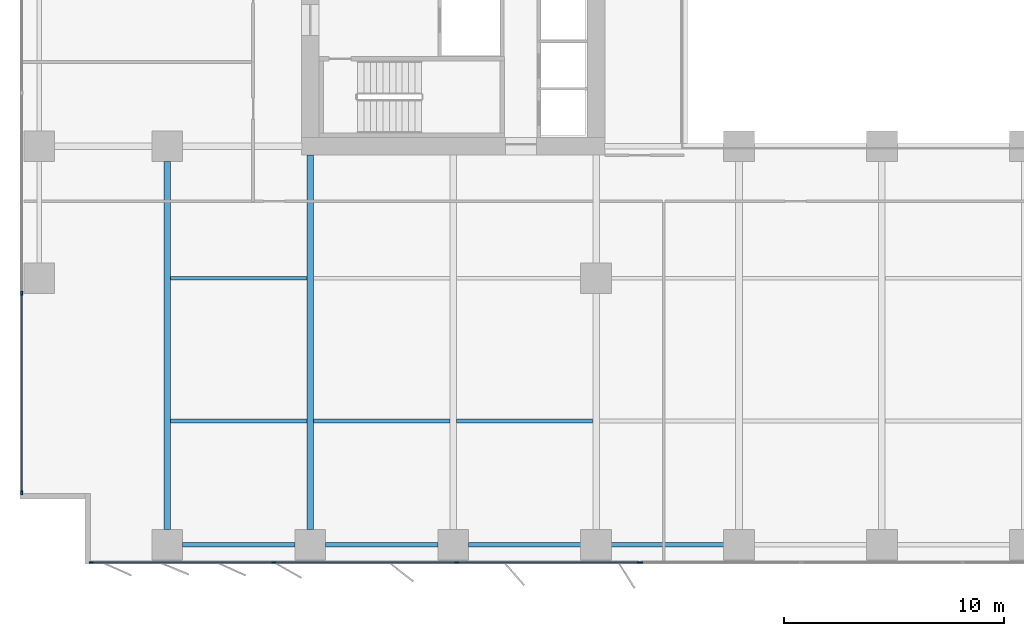
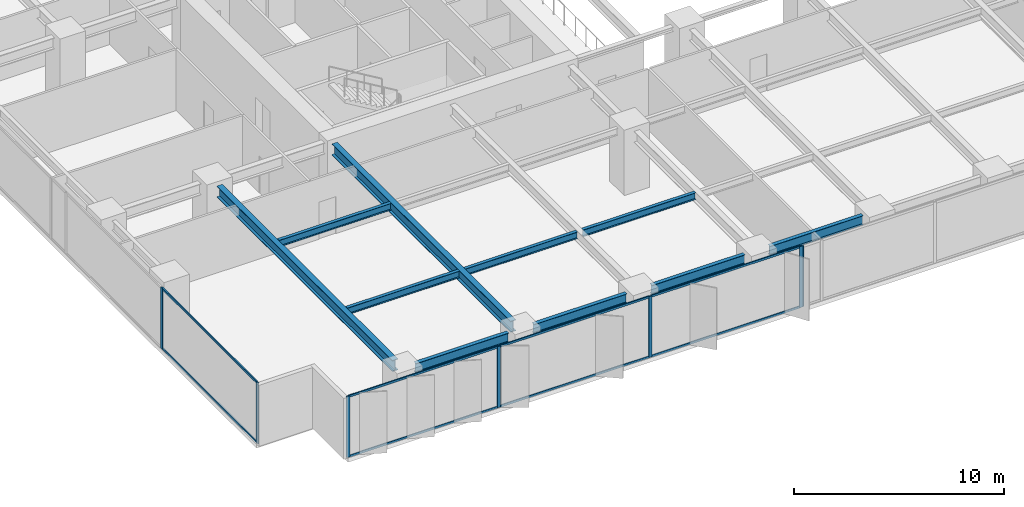
# One storey, part 2 of 20: 15 members, 10 beams, 3 elements without a shape of their own.
"""IFC4 building model written with IfcOpenShell, lengths in metres."""

import ifcopenshell
import ifcopenshell.guid

model = None  # the IFC model being written
_history = None  # IfcOwnerHistory: only IFC2X3 demands one
_inside = {}  # id of a spatial element -> (the spatial element, [elements in it])
_under = {}  # id of a project, library or spatial element -> (it, [spatial elements below it])
_declared = {}  # id of a project -> (the project, [libraries it declares])
_typed = {}  # id of a type object -> (the type object, [elements of that type])
_made_of = {}  # id of a material, layer set ... -> (it, [elements and type objects made of it])


def new_model(schema):
    """Start an empty IFC model of exactly this schema.

    Asked for "IFC4X3", IfcOpenShell would pick the latest addendum, in which some entities
    have other attributes; the version numbers below select the first issue.
    IFC2X3 requires an IfcOwnerHistory on every rooted entity: one is made here for all.
    """
    global model, _history
    if schema == "IFC4X3":
        model = ifcopenshell.file(schema_version=(4, 3, 0, 0))
    else:
        model = ifcopenshell.file(schema=schema)
    _inside.clear()
    _under.clear()
    _declared.clear()
    _typed.clear()
    _made_of.clear()
    _history = None
    if model.schema == "IFC2X3":
        org = make("IfcOrganization", Name="unknown")
        user = make(
            "IfcPersonAndOrganization",
            ThePerson=make("IfcPerson", FamilyName="unknown"),
            TheOrganization=org,
        )
        app = make(
            "IfcApplication",
            ApplicationDeveloper=org,
            Version="unknown",
            ApplicationFullName="unknown",
            ApplicationIdentifier="unknown",
        )
        _history = make(
            "IfcOwnerHistory",
            OwningUser=user,
            OwningApplication=app,
            ChangeAction="ADDED",
            CreationDate=0,
        )
    return model


def make(cls, **values):
    """One entity of the class cls with the attributes given. An attribute that is None is left unset."""
    return model.create_entity(
        cls, **{name: value for name, value in values.items() if value is not None}
    )


def rooted(cls, **values):
    """An entity with a GlobalId (a new one), such as an element, a storey or a relation."""
    return make(cls, GlobalId=ifcopenshell.guid.new(), OwnerHistory=_history, **values)


def si_unit(unit_type, name, prefix=None):
    """IfcSIUnit, for example si_unit("LENGTHUNIT", "METRE", prefix="MILLI")."""
    return make("IfcSIUnit", UnitType=unit_type, Prefix=prefix, Name=name)


def assignment(units):
    """IfcUnitAssignment: the units of a project."""
    return None if units is None else make("IfcUnitAssignment", Units=units)


def point(xyz):
    """IfcCartesianPoint."""
    return None if xyz is None else make("IfcCartesianPoint", Coordinates=xyz)


def direction(xyz):
    """IfcDirection."""
    return None if xyz is None else make("IfcDirection", DirectionRatios=xyz)


def frame(location, z_axis=None, x_axis=None):
    """IfcAxis2Placement3D, a coordinate frame: its origin and axes. An axis left out is left unset."""
    return make(
        "IfcAxis2Placement3D",
        Location=point(location),
        Axis=direction(z_axis),
        RefDirection=direction(x_axis),
    )


def frame_2d(location, x_axis=None):
    """IfcAxis2Placement2D, a coordinate frame in the plane: its origin and x axis."""
    return make(
        "IfcAxis2Placement2D", Location=point(location), RefDirection=direction(x_axis)
    )


def origin():
    """The frame at (0, 0, 0) with its axes left unset."""
    return frame((0.0, 0.0, 0.0))


def origin_2d():
    """The frame at (0, 0) in the plane with its x axis left unset."""
    return frame_2d((0.0, 0.0))


def place(relative_to, where):
    """IfcLocalPlacement: puts the frame where relative to a parent placement (None: the world)."""
    return make(
        "IfcLocalPlacement", PlacementRelTo=relative_to, RelativePlacement=where
    )


def context(
    kind, dimensions, precision=None, world=None, true_north=None, identifier=None
):
    """IfcGeometricRepresentationContext, for example the 3D "Model" context."""
    return make(
        "IfcGeometricRepresentationContext",
        ContextIdentifier=identifier,
        ContextType=kind,
        CoordinateSpaceDimension=dimensions,
        Precision=precision,
        WorldCoordinateSystem=world,
        TrueNorth=true_north,
    )


def subcontext(parent, identifier, kind, view, scale=None):
    """IfcGeometricRepresentationSubContext, for example "Body" below "Model"."""
    return make(
        "IfcGeometricRepresentationSubContext",
        ContextIdentifier=identifier,
        ContextType=kind,
        ParentContext=parent,
        TargetScale=scale,
        TargetView=view,
    )


def project(units=None, contexts=None):
    """IfcProject with its units and contexts."""
    return rooted(
        "IfcProject",
        Name="project",
        RepresentationContexts=contexts,
        UnitsInContext=assignment(units),
    )


def spatial(cls, under=None, at=None, **own):
    """A site, building, storey or space (cls), placed at a placement, below another one or the project."""
    s = rooted(cls, ObjectPlacement=at, **own)
    if under is not None:
        _under.setdefault(under.id(), (under, []))[1].append(s)
    return s


def profile(cls, at=None, kind="AREA", **sizes):
    """A parametric profile (cls). Its sizes go by their IFC names, for example OverallWidth=200.0."""
    return make(cls, ProfileType=kind, Position=at, **sizes)


def rectangle(**sizes):
    """IfcRectangleProfileDef."""
    return profile("IfcRectangleProfileDef", **sizes)


def i_section(**sizes):
    """IfcIShapeProfileDef."""
    return profile("IfcIShapeProfileDef", **sizes)


def extrude(swept, where, along, depth):
    """IfcExtrudedAreaSolid: the profile swept, set in the frame where, extruded along a direction by depth."""
    return make(
        "IfcExtrudedAreaSolid",
        SweptArea=swept,
        Position=where,
        ExtrudedDirection=direction(along),
        Depth=depth,
    )


def shape(context_of_items, identifier, shape_type, items):
    """IfcShapeRepresentation: the items that make up one representation, for example the "Body"."""
    return make(
        "IfcShapeRepresentation",
        ContextOfItems=context_of_items,
        RepresentationIdentifier=identifier,
        RepresentationType=shape_type,
        Items=items,
    )


def material(Name=None, Category=None):
    """IfcMaterial."""
    return make("IfcMaterial", Name=Name, Category=Category)


def layer(
    of_material, thickness, ventilated=None, Name=None, Category=None, Priority=None
):
    """IfcMaterialLayer: one layer of a wall or slab, of a material (None: an air gap)."""
    return make(
        "IfcMaterialLayer",
        Material=of_material,
        LayerThickness=thickness,
        IsVentilated=ventilated,
        Name=Name,
        Category=Category,
        Priority=Priority,
    )


def layer_set(layers, Name=None):
    """IfcMaterialLayerSet."""
    return make("IfcMaterialLayerSet", MaterialLayers=layers, LayerSetName=Name)


def material_profile(
    of_material, cross_section, Name=None, Category=None, Priority=None
):
    """IfcMaterialProfile: a cross section and its material."""
    return make(
        "IfcMaterialProfile",
        Name=Name,
        Material=of_material,
        Profile=cross_section,
        Priority=Priority,
        Category=Category,
    )


def profile_set(profiles, Name=None, composite=None):
    """IfcMaterialProfileSet."""
    return make(
        "IfcMaterialProfileSet",
        Name=Name,
        MaterialProfiles=profiles,
        CompositeProfile=composite,
    )


def made_of(thing, what):
    """Note that an element or type object is made of a material, layer set ...; save() writes the relation."""
    if what is not None:
        _made_of.setdefault(what.id(), (what, []))[1].append(thing)
    return thing


def type_object(cls, material=None, **own):
    """A type object (cls), such as IfcWallType, which elements share."""
    return made_of(rooted(cls, **own), material)


def element(
    cls,
    number,
    at=None,
    inside=None,
    cuts=None,
    type_object=None,
    material=None,
    context=None,
    identifier="Body",
    shape_type=None,
    held_by="IfcProductDefinitionShape",
    body=None,
    shapes=None,
    **own,
):
    """One element of the class cls, such as IfcWall. Its Tag is "e" and its number.

    at: its placement. inside: the storey or other place that contains it. cuts: it is an
    opening in that element (IfcRelVoidsElement). A single representation is given by context,
    identifier, shape_type and body (its items); several are given by shapes. held_by: the class
    of the entity that holds the representations. save() writes the other relations.
    """
    e = rooted(cls, Tag="e%d" % number, ObjectPlacement=at, **own)
    if body is not None:
        shapes = [shape(context, identifier, shape_type, body)]
    if shapes is not None:
        e.Representation = make(held_by, Representations=shapes)
    if inside is not None:
        _inside.setdefault(inside.id(), (inside, []))[1].append(e)
    if cuts is not None:
        rooted(
            "IfcRelVoidsElement", RelatingBuildingElement=cuts, RelatedOpeningElement=e
        )
    if type_object is not None:
        _typed.setdefault(type_object.id(), (type_object, []))[1].append(e)
    return made_of(e, material)


def aggregate(whole, parts):
    """IfcRelAggregates: a whole, such as a stair, and the parts it consists of."""
    return rooted("IfcRelAggregates", RelatingObject=whole, RelatedObjects=parts)


def save(model, path):
    """Write the relations noted so far, then the file.

    IfcRelAggregates (storeys below a building ...), IfcRelContainedInSpatialStructure (elements
    in a storey), IfcRelDefinesByType, IfcRelAssociatesMaterial and IfcRelDeclares: one each for
    every whole, place, type object, material and project.
    """
    for whole, parts in _under.values():
        aggregate(whole, parts)
    for where, things in _inside.values():
        rooted(
            "IfcRelContainedInSpatialStructure",
            RelatedElements=things,
            RelatingStructure=where,
        )
    for kind, things in _typed.values():
        rooted("IfcRelDefinesByType", RelatedObjects=things, RelatingType=kind)
    for what, things in _made_of.values():
        rooted("IfcRelAssociatesMaterial", RelatedObjects=things, RelatingMaterial=what)
    for by, libraries in _declared.values():
        rooted("IfcRelDeclares", RelatingContext=by, RelatedDefinitions=libraries)
    model.write(path)


model = new_model("IFC4")

# Units and contexts
model_context = context("Model", 3, precision=1e-05, world=origin(), true_north=direction((0.0, 1.0)))
body_context = subcontext(model_context, "Body", "Model", "MODEL_VIEW")
ifc_project = project(units=[si_unit("LENGTHUNIT", "METRE"), si_unit("AREAUNIT", "SQUARE_METRE"), si_unit("VOLUMEUNIT", "CUBIC_METRE"), si_unit("PLANEANGLEUNIT", "RADIAN"), si_unit("MASSUNIT", "GRAM", prefix="KILO")], contexts=[model_context])

# Site, building, storey
site_placement = place(None, origin())
site = spatial("IfcSite", under=ifc_project, at=site_placement, CompositionType="ELEMENT")
building_placement = place(site_placement, origin())
building = spatial("IfcBuilding", under=site, at=building_placement, Name="Putna Gate Headquarters", CompositionType="ELEMENT")
storey_placement = place(building_placement, frame((0.0, 0.0, 58.199951171875)))
storey = spatial("IfcBuildingStorey", under=building, at=storey_placement, Name="L13", CompositionType="ELEMENT", Elevation=58.199951171875)

# Beams
ifc_material_1 = material(Name="Steel S355J2", Category="steel")
ifc_material_profile_1 = material_profile(ifc_material_1, i_section(OverallWidth=0.300048828125, OverallDepth=0.64990234375, WebThickness=0.01611328125, FlangeThickness=0.031005859375, at=origin_2d()), Name="Steel S355J2")
ifc_profile_set_1 = profile_set([ifc_material_profile_1], Name="Steel S355J2")
beam_type_1 = type_object("IfcBeamType", Name="BM-GIRD-Z1-HEB650", PredefinedType="USERDEFINED", material=ifc_profile_set_1)
beam_1_placement = place(storey_placement, frame((6.5, 1.568115234375, 3.22509765625), z_axis=(0.0, 1.0, 0.0), x_axis=(-1.0, 0.0, 0.0)))
element("IfcBeam", 1, at=beam_1_placement, inside=storey, type_object=beam_type_1, Name="L13 South Primary Girder X6", ObjectType="GIRDER", PredefinedType="USERDEFINED", context=body_context, shape_type="SweptSolid", body=[
    extrude(i_section(OverallWidth=0.300048828125, OverallDepth=0.64990234375, WebThickness=0.01611328125, FlangeThickness=0.031005859375, at=origin_2d()), origin(), (0.0, 0.0, 1.0), 16.743896484375),
])
beam_2_placement = place(storey_placement, frame((13.0, 1.568115234375, 3.22509765625), z_axis=(0.0, 1.0, 0.0), x_axis=(-1.0, 0.0, 0.0)))
element("IfcBeam", 2, at=beam_2_placement, inside=storey, type_object=beam_type_1, Name="L13 South Primary Girder X13", ObjectType="GIRDER", PredefinedType="USERDEFINED", context=body_context, shape_type="SweptSolid", body=[
    extrude(i_section(OverallWidth=0.300048828125, OverallDepth=0.64990234375, WebThickness=0.01611328125, FlangeThickness=0.031005859375, at=origin_2d()), origin(), (0.0, 0.0, 1.0), 17.046875),
])
ifc_material_profile_2 = material_profile(ifc_material_1, i_section(OverallWidth=0.179931640625, OverallDepth=0.39990234375, WebThickness=0.008544921875, FlangeThickness=0.013427734375, at=origin_2d()), Name="Steel S355J2")
ifc_profile_set_2 = profile_set([ifc_material_profile_2], Name="Steel S355J2")
beam_type_2 = type_object("IfcBeamType", Name="BM-SEC-Z1-IPE400", PredefinedType="BEAM", material=ifc_profile_set_2)
for number, where, z_axis, x_axis, name in (
    (3, (6.654052734375, 6.5, 3.35009765625), (1.0, 0.0, 0.0), (0.0, 1.0, 0.0), "L13 South Secondary Beam 1"),
    (4, (6.654052734375, 13.0, 3.35009765625), (1.0, 0.0, 0.0), (0.0, 1.0, 0.0), "L13 South Secondary Beam 1"),
    (5, (13.154052734375, 6.5, 3.35009765625), (1.0, 0.0, 0.0), (0.0, 1.0, 0.0), "L13 South Secondary Beam 2"),
    (6, (19.654052734375, 6.5, 3.35009765625), (1.0, 0.0, 0.0), (0.0, 1.0, 0.0), "L13 South Secondary Beam 3"),
):
    element("IfcBeam", number, at=place(storey_placement, frame(where, z_axis=z_axis, x_axis=x_axis)), inside=storey, type_object=beam_type_2, Name=name, PredefinedType="BEAM", context=body_context, shape_type="SweptSolid", body=[
        extrude(i_section(OverallWidth=0.179931640625, OverallDepth=0.39990234375, WebThickness=0.008544921875, FlangeThickness=0.013427734375, at=origin_2d()), origin(), (0.0, 0.0, 1.0), 6.19189453125),
    ])
ifc_material_profile_3 = material_profile(ifc_material_1, i_section(OverallWidth=0.2099609375, OverallDepth=0.550048828125, WebThickness=0.010986328125, FlangeThickness=0.01708984375, at=origin_2d()), Name="Steel S355J2")
ifc_profile_set_3 = profile_set([ifc_material_profile_3], Name="Steel S355J2")
beam_type_3 = type_object("IfcBeamType", Name="BM-SPAN-Z1-IPE550", PredefinedType="SPANDREL", material=ifc_profile_set_3)
for number, where, z_axis, x_axis, name in (
    (7, (7.18798828125, 0.8798828125, 3.275146484375), (1.0, 0.0, 0.0), (0.0, 1.0, 0.0), "L13 S Perimeter Spandrel 1"),
    (8, (13.68798828125, 0.8798828125, 3.275146484375), (1.0, 0.0, 0.0), (0.0, 1.0, 0.0), "L13 S Perimeter Spandrel 2"),
    (9, (20.18798828125, 0.8798828125, 3.275146484375), (1.0, 0.0, 0.0), (0.0, 1.0, 0.0), "L13 S Perimeter Spandrel 3"),
    (10, (26.68798828125, 0.8798828125, 3.275146484375), (1.0, 0.0, 0.0), (0.0, 1.0, 0.0), "L13 S Perimeter Spandrel 4"),
):
    element("IfcBeam", number, at=place(storey_placement, frame(where, z_axis=z_axis, x_axis=x_axis)), inside=storey, type_object=beam_type_3, Name=name, PredefinedType="SPANDREL", context=body_context, shape_type="SweptSolid", body=[
        extrude(i_section(OverallWidth=0.2099609375, OverallDepth=0.550048828125, WebThickness=0.010986328125, FlangeThickness=0.01708984375, at=origin_2d()), origin(), (0.0, 0.0, 1.0), 5.1240234375),
    ])

# Curtain wall, members
ifc_material_2 = material(Name="Anodised bronze aluminium curtain wall", Category="aluminium")
ifc_layer_1 = layer(ifc_material_2, 0.179931640625)
ifc_layer_set_1 = layer_set([ifc_layer_1], Name="Anodised bronze aluminium curtain wall")
curtain_wall_type_1 = type_object("IfcCurtainWallType", Name="CW-SYS-Z1", PredefinedType="USERDEFINED", material=ifc_layer_set_1)
curtain_wall_1_placement = place(storey_placement, origin())
curtain_wall_1 = element("IfcCurtainWall", 11, at=curtain_wall_1_placement, inside=storey, type_object=curtain_wall_type_1, Name="L13 South West Curtain Wall", ObjectType="STICK CURTAIN WALL", PredefinedType="USERDEFINED")
ifc_material_3 = material(Name="Anodised bronze aluminium EN AW-6060", Category="aluminium")
ifc_material_profile_4 = material_profile(ifc_material_3, rectangle(XDim=0.070068359375, YDim=0.179931640625, at=origin_2d()), Name="Anodised bronze aluminium EN AW-6060")
ifc_profile_set_4 = profile_set([ifc_material_profile_4], Name="Anodised bronze aluminium EN AW-6060")
member_type_1 = type_object("IfcMemberType", Name="MULL-CWM-1", PredefinedType="MULLION", material=ifc_profile_set_4)
member_1_placement = place(storey_placement, frame((3.034912109375, 0.080078125, 0.0), z_axis=(0.0, 0.0, 1.0), x_axis=(0.0, 1.0, 0.0)))
member_1 = element("IfcMember", 12, at=member_1_placement, type_object=member_type_1, Name="CWS-1 mullion 1", PredefinedType="MULLION", context=body_context, shape_type="SweptSolid", body=[
    extrude(rectangle(XDim=0.070068359375, YDim=0.179931640625, at=origin_2d()), origin(), (0.0, 0.0, 1.0), 3.550048828125),
])
member_2_placement = place(storey_placement, frame((11.333251953125, 0.080078125, 0.0), z_axis=(0.0, 0.0, 1.0), x_axis=(0.0, 1.0, 0.0)))
member_2 = element("IfcMember", 13, at=member_2_placement, type_object=member_type_1, Name="CWS-1 mullion 2", PredefinedType="MULLION", context=body_context, shape_type="SweptSolid", body=[
    extrude(rectangle(XDim=0.070068359375, YDim=0.179931640625, at=origin_2d()), origin(), (0.0, 0.0, 1.0), 3.550048828125),
])
member_3_placement = place(storey_placement, frame((19.666748046875, 0.080078125, 0.0), z_axis=(0.0, 0.0, 1.0), x_axis=(0.0, 1.0, 0.0)))
member_3 = element("IfcMember", 14, at=member_3_placement, type_object=member_type_1, Name="CWS-1 mullion 3", PredefinedType="MULLION", context=body_context, shape_type="SweptSolid", body=[
    extrude(rectangle(XDim=0.070068359375, YDim=0.179931640625, at=origin_2d()), origin(), (0.0, 0.0, 1.0), 3.550048828125),
])
member_4_placement = place(storey_placement, frame((27.965087890625, 0.080078125, 0.0), z_axis=(0.0, 0.0, 1.0), x_axis=(0.0, 1.0, 0.0)))
member_4 = element("IfcMember", 15, at=member_4_placement, type_object=member_type_1, Name="CWS-1 mullion 4", PredefinedType="MULLION", context=body_context, shape_type="SweptSolid", body=[
    extrude(rectangle(XDim=0.070068359375, YDim=0.179931640625, at=origin_2d()), origin(), (0.0, 0.0, 1.0), 3.550048828125),
])

curtain_wall_2_placement = place(storey_placement, origin())
curtain_wall_2 = element("IfcCurtainWall", 16, at=curtain_wall_2_placement, inside=storey, type_object=curtain_wall_type_1, Name="L13 West Curtain Wall", ObjectType="STICK CURTAIN WALL", PredefinedType="USERDEFINED")
member_5_placement = place(storey_placement, frame((-0.1201171875, 3.235107421875, 0.0), z_axis=(0.0, 0.0, 1.0), x_axis=(-1.0, 0.0, 0.0)))
member_5 = element("IfcMember", 17, at=member_5_placement, type_object=member_type_1, Name="CWS-1 mullion 1", PredefinedType="MULLION", context=body_context, shape_type="SweptSolid", body=[
    extrude(rectangle(XDim=0.070068359375, YDim=0.179931640625, at=origin_2d()), origin(), (0.0, 0.0, 1.0), 3.550048828125),
])
member_6_placement = place(storey_placement, frame((-0.1201171875, 12.320068359375, 0.0), z_axis=(0.0, 0.0, 1.0), x_axis=(-1.0, 0.0, 0.0)))
member_6 = element("IfcMember", 18, at=member_6_placement, type_object=member_type_1, Name="CWS-1 mullion 2", PredefinedType="MULLION", context=body_context, shape_type="SweptSolid", body=[
    extrude(rectangle(XDim=0.070068359375, YDim=0.179931640625, at=origin_2d()), origin(), (0.0, 0.0, 1.0), 3.550048828125),
])

# Curtain wall, member
ifc_layer_2 = layer(ifc_material_2, 0.179931640625)
ifc_layer_set_2 = layer_set([ifc_layer_2], Name="Anodised bronze aluminium curtain wall")
curtain_wall_type_2 = type_object("IfcCurtainWallType", Name="CW-SYS-ATR", PredefinedType="USERDEFINED", material=ifc_layer_set_2)
curtain_wall_3_placement = place(storey_placement, origin())
curtain_wall_3 = element("IfcCurtainWall", 19, at=curtain_wall_3_placement, inside=storey, type_object=curtain_wall_type_2, Name="L13 South Atrium Clear Glazing", ObjectType="ATRIUM GLAZING", PredefinedType="USERDEFINED")
ifc_material_profile_5 = material_profile(ifc_material_3, rectangle(XDim=0.070068359375, YDim=0.179931640625, at=origin_2d()), Name="Anodised bronze aluminium EN AW-6060")
ifc_profile_set_5 = profile_set([ifc_material_profile_5], Name="Anodised bronze aluminium EN AW-6060")
member_type_2 = type_object("IfcMemberType", Name="MULL-CWM-AT", PredefinedType="MULLION", material=ifc_profile_set_5)
member_7_placement = place(storey_placement, frame((28.034912109375, 0.080078125, 0.0), z_axis=(0.0, 0.0, 1.0), x_axis=(0.0, 1.0, 0.0)))
member_7 = element("IfcMember", 20, at=member_7_placement, type_object=member_type_2, Name="CWS-AT mullion 1", PredefinedType="MULLION", context=body_context, shape_type="SweptSolid", body=[
    extrude(rectangle(XDim=0.070068359375, YDim=0.179931640625, at=origin_2d()), origin(), (0.0, 0.0, 1.0), 3.550048828125),
])
aggregate(curtain_wall_3, [member_7])

# Member
ifc_material_profile_6 = material_profile(ifc_material_3, rectangle(XDim=0.06494140625, YDim=0.1201171875, at=origin_2d()), Name="Anodised bronze aluminium EN AW-6060")
ifc_profile_set_6 = profile_set([ifc_material_profile_6], Name="Anodised bronze aluminium EN AW-6060")
member_type_3 = type_object("IfcMemberType", Name="TRAN-CWT-1", PredefinedType="USERDEFINED", material=ifc_profile_set_6)
member_8_placement = place(storey_placement, frame((3.070068359375, 0.080078125, 0.032470703125), z_axis=(1.0, 0.0, 0.0), x_axis=(0.0, 1.0, 0.0)))
member_8 = element("IfcMember", 21, at=member_8_placement, type_object=member_type_3, Name="CWS-1 transom 1.1", ObjectType="TRANSOM", PredefinedType="USERDEFINED", context=body_context, shape_type="SweptSolid", body=[
    extrude(rectangle(XDim=0.06494140625, YDim=0.1201171875, at=origin_2d()), origin(), (0.0, 0.0, 1.0), 8.228271484375),
])

member_9_placement = place(storey_placement, frame((3.070068359375, 0.080078125, 3.517578125), z_axis=(1.0, 0.0, 0.0), x_axis=(0.0, 1.0, 0.0)))
member_9 = element("IfcMember", 22, at=member_9_placement, type_object=member_type_3, Name="CWS-1 transom 1.2", ObjectType="TRANSOM", PredefinedType="USERDEFINED", context=body_context, shape_type="SweptSolid", body=[
    extrude(rectangle(XDim=0.06494140625, YDim=0.1201171875, at=origin_2d()), origin(), (0.0, 0.0, 1.0), 8.228271484375),
])

member_10_placement = place(storey_placement, frame((11.368408203125, 0.080078125, 0.032470703125), z_axis=(1.0, 0.0, 0.0), x_axis=(0.0, 1.0, 0.0)))
member_10 = element("IfcMember", 23, at=member_10_placement, type_object=member_type_3, Name="CWS-1 transom 2.1", ObjectType="TRANSOM", PredefinedType="USERDEFINED", context=body_context, shape_type="SweptSolid", body=[
    extrude(rectangle(XDim=0.06494140625, YDim=0.1201171875, at=origin_2d()), origin(), (0.0, 0.0, 1.0), 8.26318359375),
])

member_11_placement = place(storey_placement, frame((11.368408203125, 0.080078125, 3.517578125), z_axis=(1.0, 0.0, 0.0), x_axis=(0.0, 1.0, 0.0)))
member_11 = element("IfcMember", 24, at=member_11_placement, type_object=member_type_3, Name="CWS-1 transom 2.2", ObjectType="TRANSOM", PredefinedType="USERDEFINED", context=body_context, shape_type="SweptSolid", body=[
    extrude(rectangle(XDim=0.06494140625, YDim=0.1201171875, at=origin_2d()), origin(), (0.0, 0.0, 1.0), 8.26318359375),
])

member_12_placement = place(storey_placement, frame((19.70166015625, 0.080078125, 0.032470703125), z_axis=(1.0, 0.0, 0.0), x_axis=(0.0, 1.0, 0.0)))
member_12 = element("IfcMember", 25, at=member_12_placement, type_object=member_type_3, Name="CWS-1 transom 3.1", ObjectType="TRANSOM", PredefinedType="USERDEFINED", context=body_context, shape_type="SweptSolid", body=[
    extrude(rectangle(XDim=0.06494140625, YDim=0.1201171875, at=origin_2d()), origin(), (0.0, 0.0, 1.0), 8.228271484375),
])

member_13_placement = place(storey_placement, frame((19.70166015625, 0.080078125, 3.517578125), z_axis=(1.0, 0.0, 0.0), x_axis=(0.0, 1.0, 0.0)))
member_13 = element("IfcMember", 26, at=member_13_placement, type_object=member_type_3, Name="CWS-1 transom 3.2", ObjectType="TRANSOM", PredefinedType="USERDEFINED", context=body_context, shape_type="SweptSolid", body=[
    extrude(rectangle(XDim=0.06494140625, YDim=0.1201171875, at=origin_2d()), origin(), (0.0, 0.0, 1.0), 8.228271484375),
])

aggregate(curtain_wall_1, [member_1, member_2, member_3, member_4, member_8, member_9, member_10, member_11, member_12, member_13])

member_14_placement = place(storey_placement, frame((-0.1201171875, 3.27001953125, 0.032470703125), z_axis=(0.0, 1.0, 0.0), x_axis=(-1.0, 0.0, 0.0)))
member_14 = element("IfcMember", 27, at=member_14_placement, type_object=member_type_3, Name="CWS-1 transom 1.1", ObjectType="TRANSOM", PredefinedType="USERDEFINED", context=body_context, shape_type="SweptSolid", body=[
    extrude(rectangle(XDim=0.06494140625, YDim=0.1201171875, at=origin_2d()), origin(), (0.0, 0.0, 1.0), 9.014892578125),
])

member_15_placement = place(storey_placement, frame((-0.1201171875, 3.27001953125, 3.517578125), z_axis=(0.0, 1.0, 0.0), x_axis=(-1.0, 0.0, 0.0)))
member_15 = element("IfcMember", 28, at=member_15_placement, type_object=member_type_3, Name="CWS-1 transom 1.2", ObjectType="TRANSOM", PredefinedType="USERDEFINED", context=body_context, shape_type="SweptSolid", body=[
    extrude(rectangle(XDim=0.06494140625, YDim=0.1201171875, at=origin_2d()), origin(), (0.0, 0.0, 1.0), 9.014892578125),
])

aggregate(curtain_wall_2, [member_5, member_6, member_14, member_15])

save(model, "model.ifc")
